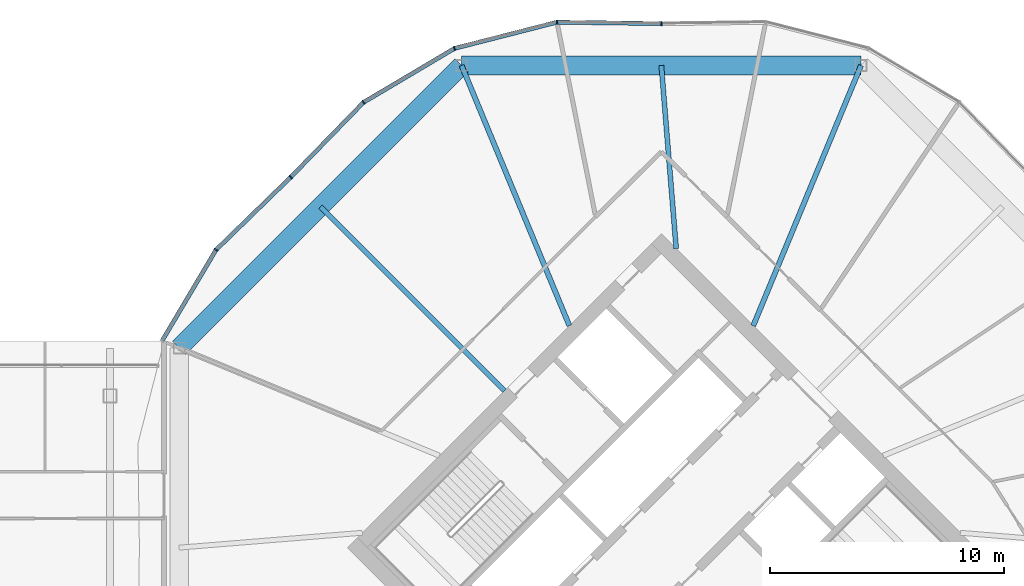
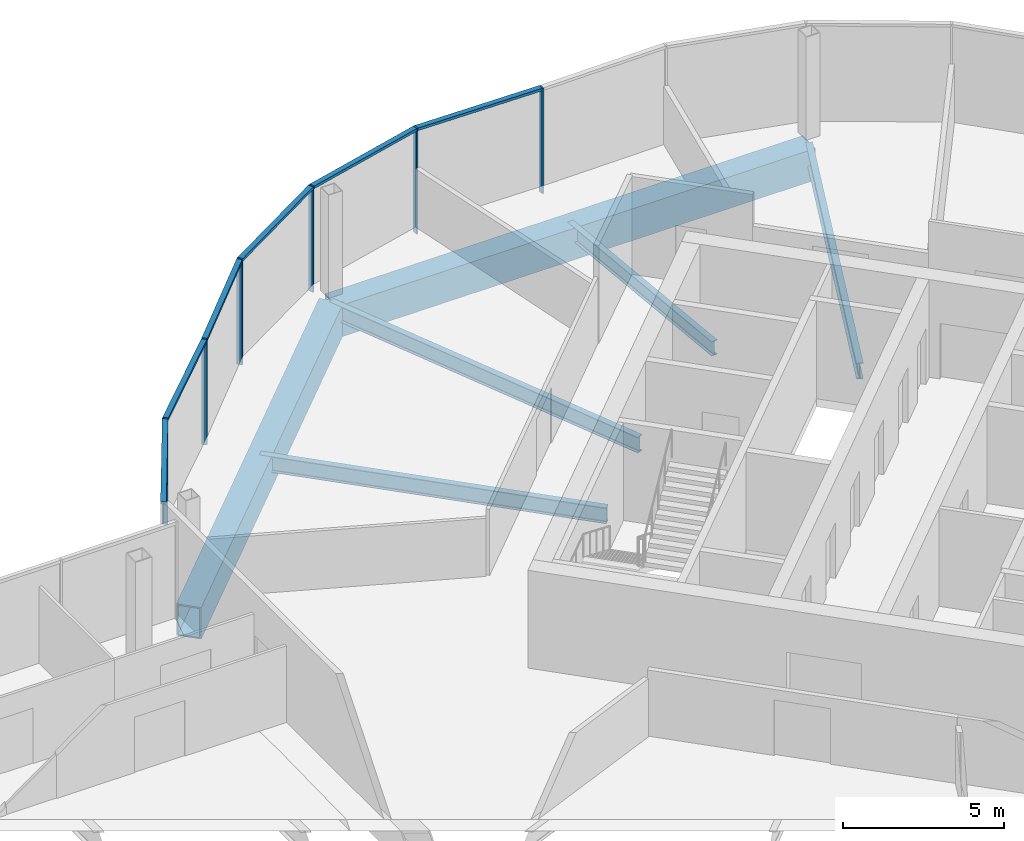
# One storey, part 15 of 26: 12 members, 6 beams, 3 elements without a shape of their own.
"""IFC4 building model written with IfcOpenShell, lengths in metres."""

import ifcopenshell
import ifcopenshell.guid

model = None  # the IFC model being written
_history = None  # IfcOwnerHistory: only IFC2X3 demands one
_inside = {}  # id of a spatial element -> (the spatial element, [elements in it])
_under = {}  # id of a project, library or spatial element -> (it, [spatial elements below it])
_declared = {}  # id of a project -> (the project, [libraries it declares])
_typed = {}  # id of a type object -> (the type object, [elements of that type])
_made_of = {}  # id of a material, layer set ... -> (it, [elements and type objects made of it])


def new_model(schema):
    """Start an empty IFC model of exactly this schema.

    Asked for "IFC4X3", IfcOpenShell would pick the latest addendum, in which some entities
    have other attributes; the version numbers below select the first issue.
    IFC2X3 requires an IfcOwnerHistory on every rooted entity: one is made here for all.
    """
    global model, _history
    if schema == "IFC4X3":
        model = ifcopenshell.file(schema_version=(4, 3, 0, 0))
    else:
        model = ifcopenshell.file(schema=schema)
    _inside.clear()
    _under.clear()
    _declared.clear()
    _typed.clear()
    _made_of.clear()
    _history = None
    if model.schema == "IFC2X3":
        org = make("IfcOrganization", Name="unknown")
        user = make(
            "IfcPersonAndOrganization",
            ThePerson=make("IfcPerson", FamilyName="unknown"),
            TheOrganization=org,
        )
        app = make(
            "IfcApplication",
            ApplicationDeveloper=org,
            Version="unknown",
            ApplicationFullName="unknown",
            ApplicationIdentifier="unknown",
        )
        _history = make(
            "IfcOwnerHistory",
            OwningUser=user,
            OwningApplication=app,
            ChangeAction="ADDED",
            CreationDate=0,
        )
    return model


def make(cls, **values):
    """One entity of the class cls with the attributes given. An attribute that is None is left unset."""
    return model.create_entity(
        cls, **{name: value for name, value in values.items() if value is not None}
    )


def rooted(cls, **values):
    """An entity with a GlobalId (a new one), such as an element, a storey or a relation."""
    return make(cls, GlobalId=ifcopenshell.guid.new(), OwnerHistory=_history, **values)


def si_unit(unit_type, name, prefix=None):
    """IfcSIUnit, for example si_unit("LENGTHUNIT", "METRE", prefix="MILLI")."""
    return make("IfcSIUnit", UnitType=unit_type, Prefix=prefix, Name=name)


def assignment(units):
    """IfcUnitAssignment: the units of a project."""
    return None if units is None else make("IfcUnitAssignment", Units=units)


def point(xyz):
    """IfcCartesianPoint."""
    return None if xyz is None else make("IfcCartesianPoint", Coordinates=xyz)


def direction(xyz):
    """IfcDirection."""
    return None if xyz is None else make("IfcDirection", DirectionRatios=xyz)


def frame(location, z_axis=None, x_axis=None):
    """IfcAxis2Placement3D, a coordinate frame: its origin and axes. An axis left out is left unset."""
    return make(
        "IfcAxis2Placement3D",
        Location=point(location),
        Axis=direction(z_axis),
        RefDirection=direction(x_axis),
    )


def frame_2d(location, x_axis=None):
    """IfcAxis2Placement2D, a coordinate frame in the plane: its origin and x axis."""
    return make(
        "IfcAxis2Placement2D", Location=point(location), RefDirection=direction(x_axis)
    )


def origin():
    """The frame at (0, 0, 0) with its axes left unset."""
    return frame((0.0, 0.0, 0.0))


def origin_2d():
    """The frame at (0, 0) in the plane with its x axis left unset."""
    return frame_2d((0.0, 0.0))


def place(relative_to, where):
    """IfcLocalPlacement: puts the frame where relative to a parent placement (None: the world)."""
    return make(
        "IfcLocalPlacement", PlacementRelTo=relative_to, RelativePlacement=where
    )


def context(
    kind, dimensions, precision=None, world=None, true_north=None, identifier=None
):
    """IfcGeometricRepresentationContext, for example the 3D "Model" context."""
    return make(
        "IfcGeometricRepresentationContext",
        ContextIdentifier=identifier,
        ContextType=kind,
        CoordinateSpaceDimension=dimensions,
        Precision=precision,
        WorldCoordinateSystem=world,
        TrueNorth=true_north,
    )


def subcontext(parent, identifier, kind, view, scale=None):
    """IfcGeometricRepresentationSubContext, for example "Body" below "Model"."""
    return make(
        "IfcGeometricRepresentationSubContext",
        ContextIdentifier=identifier,
        ContextType=kind,
        ParentContext=parent,
        TargetScale=scale,
        TargetView=view,
    )


def project(units=None, contexts=None):
    """IfcProject with its units and contexts."""
    return rooted(
        "IfcProject",
        Name="project",
        RepresentationContexts=contexts,
        UnitsInContext=assignment(units),
    )


def spatial(cls, under=None, at=None, **own):
    """A site, building, storey or space (cls), placed at a placement, below another one or the project."""
    s = rooted(cls, ObjectPlacement=at, **own)
    if under is not None:
        _under.setdefault(under.id(), (under, []))[1].append(s)
    return s


def profile(cls, at=None, kind="AREA", **sizes):
    """A parametric profile (cls). Its sizes go by their IFC names, for example OverallWidth=200.0."""
    return make(cls, ProfileType=kind, Position=at, **sizes)


def rectangle(**sizes):
    """IfcRectangleProfileDef."""
    return profile("IfcRectangleProfileDef", **sizes)


def hollow_rectangle(**sizes):
    """IfcRectangleHollowProfileDef."""
    return profile("IfcRectangleHollowProfileDef", **sizes)


def i_section(**sizes):
    """IfcIShapeProfileDef."""
    return profile("IfcIShapeProfileDef", **sizes)


def extrude(swept, where, along, depth):
    """IfcExtrudedAreaSolid: the profile swept, set in the frame where, extruded along a direction by depth."""
    return make(
        "IfcExtrudedAreaSolid",
        SweptArea=swept,
        Position=where,
        ExtrudedDirection=direction(along),
        Depth=depth,
    )


def shape(context_of_items, identifier, shape_type, items):
    """IfcShapeRepresentation: the items that make up one representation, for example the "Body"."""
    return make(
        "IfcShapeRepresentation",
        ContextOfItems=context_of_items,
        RepresentationIdentifier=identifier,
        RepresentationType=shape_type,
        Items=items,
    )


def material(Name=None, Category=None):
    """IfcMaterial."""
    return make("IfcMaterial", Name=Name, Category=Category)


def material_profile(
    of_material, cross_section, Name=None, Category=None, Priority=None
):
    """IfcMaterialProfile: a cross section and its material."""
    return make(
        "IfcMaterialProfile",
        Name=Name,
        Material=of_material,
        Profile=cross_section,
        Priority=Priority,
        Category=Category,
    )


def profile_set(profiles, Name=None, composite=None):
    """IfcMaterialProfileSet."""
    return make(
        "IfcMaterialProfileSet",
        Name=Name,
        MaterialProfiles=profiles,
        CompositeProfile=composite,
    )


def made_of(thing, what):
    """Note that an element or type object is made of a material, layer set ...; save() writes the relation."""
    if what is not None:
        _made_of.setdefault(what.id(), (what, []))[1].append(thing)
    return thing


def type_object(cls, material=None, **own):
    """A type object (cls), such as IfcWallType, which elements share."""
    return made_of(rooted(cls, **own), material)


def element(
    cls,
    number,
    at=None,
    inside=None,
    cuts=None,
    type_object=None,
    material=None,
    context=None,
    identifier="Body",
    shape_type=None,
    held_by="IfcProductDefinitionShape",
    body=None,
    shapes=None,
    **own,
):
    """One element of the class cls, such as IfcWall. Its Tag is "e" and its number.

    at: its placement. inside: the storey or other place that contains it. cuts: it is an
    opening in that element (IfcRelVoidsElement). A single representation is given by context,
    identifier, shape_type and body (its items); several are given by shapes. held_by: the class
    of the entity that holds the representations. save() writes the other relations.
    """
    e = rooted(cls, Tag="e%d" % number, ObjectPlacement=at, **own)
    if body is not None:
        shapes = [shape(context, identifier, shape_type, body)]
    if shapes is not None:
        e.Representation = make(held_by, Representations=shapes)
    if inside is not None:
        _inside.setdefault(inside.id(), (inside, []))[1].append(e)
    if cuts is not None:
        rooted(
            "IfcRelVoidsElement", RelatingBuildingElement=cuts, RelatedOpeningElement=e
        )
    if type_object is not None:
        _typed.setdefault(type_object.id(), (type_object, []))[1].append(e)
    return made_of(e, material)


def aggregate(whole, parts):
    """IfcRelAggregates: a whole, such as a stair, and the parts it consists of."""
    return rooted("IfcRelAggregates", RelatingObject=whole, RelatedObjects=parts)


def save(model, path):
    """Write the relations noted so far, then the file.

    IfcRelAggregates (storeys below a building ...), IfcRelContainedInSpatialStructure (elements
    in a storey), IfcRelDefinesByType, IfcRelAssociatesMaterial and IfcRelDeclares: one each for
    every whole, place, type object, material and project.
    """
    for whole, parts in _under.values():
        aggregate(whole, parts)
    for where, things in _inside.values():
        rooted(
            "IfcRelContainedInSpatialStructure",
            RelatedElements=things,
            RelatingStructure=where,
        )
    for kind, things in _typed.values():
        rooted("IfcRelDefinesByType", RelatedObjects=things, RelatingType=kind)
    for what, things in _made_of.values():
        rooted("IfcRelAssociatesMaterial", RelatedObjects=things, RelatingMaterial=what)
    for by, libraries in _declared.values():
        rooted("IfcRelDeclares", RelatingContext=by, RelatedDefinitions=libraries)
    model.write(path)


model = new_model("IFC4")

# Units and contexts
model_context = context("Model", 3, precision=1e-05, world=origin(), true_north=direction((0.0, 1.0)))
body_context = subcontext(model_context, "Body", "Model", "MODEL_VIEW")
ifc_project = project(units=[si_unit("LENGTHUNIT", "METRE"), si_unit("AREAUNIT", "SQUARE_METRE"), si_unit("VOLUMEUNIT", "CUBIC_METRE"), si_unit("PLANEANGLEUNIT", "RADIAN"), si_unit("MASSUNIT", "GRAM", prefix="KILO")], contexts=[model_context])

# Site, building, storey
site_placement = place(None, origin())
site = spatial("IfcSite", under=ifc_project, at=site_placement, CompositionType="ELEMENT")
building_placement = place(site_placement, origin())
building = spatial("IfcBuilding", under=site, at=building_placement, Name="Ogive Gate Towers", CompositionType="ELEMENT")
storey_placement = place(building_placement, frame((0.0, 0.0, 156.800048828125)))
storey = spatial("IfcBuildingStorey", under=building, at=storey_placement, Name="L37", CompositionType="ELEMENT", Elevation=156.800048828125)

# Beams
ifc_material_1 = material(Name="Steel SM460", Category="steel")
ifc_material_profile_1 = material_profile(ifc_material_1, hollow_rectangle(XDim=0.800048828125, YDim=1.199951171875, WallThickness=0.050048828125, at=origin_2d()), Name="BX 1200x800x50")
ifc_profile_set_1 = profile_set([ifc_material_profile_1], Name="Steel SM460")
beam_type_1 = type_object("IfcBeamType", Name="Edge girder BX 1200x800x50", PredefinedType="BEAM", material=ifc_profile_set_1)
beam_1_placement = place(storey_placement, frame((44.549072265625, 20.639404296875, -0.900146484375), z_axis=(-1.0, 0.0, 0.0), x_axis=(0.0, -1.0, 0.0)))
element("IfcBeam", 1, at=beam_1_placement, inside=storey, type_object=beam_type_1, Name="T2/L37/SBM022", PredefinedType="BEAM", context=body_context, shape_type="SweptSolid", body=[
    extrude(hollow_rectangle(XDim=0.800048828125, YDim=1.199951171875, WallThickness=0.050048828125, at=origin_2d()), origin(), (0.0, 0.0, 1.0), 17.09814453125),
])
beam_2_placement = place(storey_placement, frame((27.450927734375, 20.639404296875, -0.900146484375), z_axis=(-0.707106781187, -0.707106781187, 0.0), x_axis=(0.707106781187, -0.707106781187, 0.0)))
element("IfcBeam", 2, at=beam_2_placement, inside=storey, type_object=beam_type_1, Name="T2/L37/SBM023", PredefinedType="BEAM", context=body_context, shape_type="SweptSolid", body=[
    extrude(hollow_rectangle(XDim=0.800048828125, YDim=1.199951171875, WallThickness=0.050048828125, at=origin_2d()), origin(), (0.0, 0.0, 1.0), 17.098388671875),
])
ifc_material_2 = material(Name="Steel SM355", Category="steel")
ifc_material_profile_2 = material_profile(ifc_material_2, i_section(OverallWidth=0.2099609375, OverallDepth=0.550048828125, WebThickness=0.010986328125, FlangeThickness=0.01708984375, FilletRadius=0.02392578125, at=origin_2d()), Name="IPE 550")
ifc_profile_set_2 = profile_set([ifc_material_profile_2], Name="Steel SM355")
beam_type_2 = type_object("IfcBeamType", Name="Radial floor beam IPE 550", PredefinedType="BEAM", material=ifc_profile_set_2)
beam_3_placement = place(storey_placement, frame((36.636474609375, 12.798583984375, -0.574951171875), z_axis=(-0.080908365468, 0.996721544062, 0.0), x_axis=(-0.996721544062, -0.080908365468, 0.0)))
element("IfcBeam", 3, at=beam_3_placement, inside=storey, type_object=beam_type_2, Name="T2/L37/SBM012", PredefinedType="BEAM", context=body_context, shape_type="SweptSolid", body=[
    extrude(i_section(OverallWidth=0.2099609375, OverallDepth=0.550048828125, WebThickness=0.010986328125, FlangeThickness=0.01708984375, FilletRadius=0.02392578125, at=origin_2d()), origin(), (0.0, 0.0, 1.0), 7.86669921875),
])
ifc_material_profile_3 = material_profile(ifc_material_2, i_section(OverallWidth=0.219970703125, OverallDepth=0.60009765625, WebThickness=0.011962890625, FlangeThickness=0.01904296875, FilletRadius=0.02392578125, at=origin_2d()), Name="IPE 600")
ifc_profile_set_3 = profile_set([ifc_material_profile_3], Name="Steel SM355")
beam_type_3 = type_object("IfcBeamType", Name="Radial floor beam IPE 600", PredefinedType="BEAM", material=ifc_profile_set_3)
for number, where, z_axis, x_axis, name in (
    (4, (39.93505859375, 9.5, -0.60009765625), (0.382677863518, 0.923881839184, 0.0), (-0.923881839184, 0.382677863518, 0.0), "T2/L37/SBM011"),
    (5, (32.06494140625, 9.5, -0.60009765625), (-0.382677863518, 0.923881839184, 0.0), (-0.923881839184, -0.382677863518, 0.0), "T2/L37/SBM013"),
):
    element("IfcBeam", number, at=place(storey_placement, frame(where, z_axis=z_axis, x_axis=x_axis)), inside=storey, type_object=beam_type_3, Name=name, PredefinedType="BEAM", context=body_context, shape_type="SweptSolid", body=[
        extrude(i_section(OverallWidth=0.219970703125, OverallDepth=0.60009765625, WebThickness=0.011962890625, FlangeThickness=0.01904296875, FilletRadius=0.02392578125, at=origin_2d()), origin(), (0.0, 0.0, 1.0), 12.05712890625),
    ])
beam_4_placement = place(storey_placement, frame((29.282470703125, 6.717529296875, -0.60009765625), z_axis=(-0.707106781187, 0.707106781187, 0.0), x_axis=(-0.707106781187, -0.707106781187, 0.0)))
element("IfcBeam", 6, at=beam_4_placement, inside=storey, type_object=beam_type_3, Name="T2/L37/SBM014", PredefinedType="BEAM", context=body_context, shape_type="SweptSolid", body=[
    extrude(i_section(OverallWidth=0.219970703125, OverallDepth=0.60009765625, WebThickness=0.011962890625, FlangeThickness=0.01904296875, FilletRadius=0.02392578125, at=origin_2d()), origin(), (0.0, 0.0, 1.0), 11.139404296875),
])

# Curtain wall, member
ifc_material_3 = material(Name="Pale metal aluminium", Category="aluminium")
curtain_wall_type = type_object("IfcCurtainWallType", Name="Tower unitised wall, high zone", PredefinedType="NOTDEFINED", material=ifc_material_3)
curtain_wall_1_placement = place(storey_placement, origin())
curtain_wall_1 = element("IfcCurtainWall", 7, at=curtain_wall_1_placement, inside=storey, type_object=curtain_wall_type, Name="CW2 T2 ECW02", PredefinedType="NOTDEFINED")
ifc_material_profile_4 = material_profile(ifc_material_3, rectangle(XDim=0.179931640625, YDim=0.06005859375, at=origin_2d()), Name="60 x 180 aluminium box")
ifc_profile_set_4 = profile_set([ifc_material_profile_4], Name="Pale metal aluminium")
member_type_1 = type_object("IfcMemberType", Name="Tower unitised wall, high zone mullion 60 x 180", PredefinedType="MULLION", material=ifc_profile_set_4)
member_1_placement = place(storey_placement, frame((36.0, 22.429931640625, -0.300048828125), z_axis=(0.0, 0.0, 1.0), x_axis=(-0.013717857647, 0.999905905764, 0.0)))
member_1 = element("IfcMember", 8, at=member_1_placement, type_object=member_type_1, Name="CW2 mullion", PredefinedType="MULLION", context=body_context, shape_type="SweptSolid", body=[
    extrude(rectangle(XDim=0.179931640625, YDim=0.06005859375, at=origin_2d()), origin(), (0.0, 0.0, 1.0), 4.0),
])
aggregate(curtain_wall_1, [member_1])

# Curtain wall, members
curtain_wall_2_placement = place(storey_placement, origin())
curtain_wall_2 = element("IfcCurtainWall", 9, at=curtain_wall_2_placement, inside=storey, type_object=curtain_wall_type, Name="CW2 T2 ECW03", PredefinedType="NOTDEFINED")
member_2_placement = place(storey_placement, frame((31.533447265625, 22.491455078125, -0.300048828125), z_axis=(0.0, 0.0, 1.0), x_axis=(-0.118005356875, 0.9930129585, 0.0)))
member_2 = element("IfcMember", 10, at=member_2_placement, type_object=member_type_1, Name="CW2 mullion", PredefinedType="MULLION", context=body_context, shape_type="SweptSolid", body=[
    extrude(rectangle(XDim=0.179931640625, YDim=0.06005859375, at=origin_2d()), origin(), (0.0, 0.0, 1.0), 4.0),
])
member_3_placement = place(storey_placement, frame((27.148193359375, 21.370361328125, -0.300048828125), z_axis=(0.0, 0.0, 1.0), x_axis=(-0.382683432365, 0.923879532511, 0.0)))
member_3 = element("IfcMember", 11, at=member_3_placement, type_object=member_type_1, Name="CW2 mullion", PredefinedType="MULLION", context=body_context, shape_type="SweptSolid", body=[
    extrude(rectangle(XDim=0.179931640625, YDim=0.06005859375, at=origin_2d()), origin(), (0.0, 0.0, 1.0), 4.0),
])
member_4_placement = place(storey_placement, frame((23.254638671875, 19.06201171875, -0.300048828125), z_axis=(0.0, 0.0, 1.0), x_axis=(-0.618710097148, 0.785619383472, 0.0)))
member_4 = element("IfcMember", 12, at=member_4_placement, type_object=member_type_1, Name="CW2 mullion", PredefinedType="MULLION", context=body_context, shape_type="SweptSolid", body=[
    extrude(rectangle(XDim=0.179931640625, YDim=0.06005859375, at=origin_2d()), origin(), (0.0, 0.0, 1.0), 4.0),
])
member_5_placement = place(storey_placement, frame((20.1396484375, 15.860595703125, -0.300048828125), z_axis=(0.0, 0.0, 1.0), x_axis=(-0.716728065687, 0.697352765719, 0.0)))
member_5 = element("IfcMember", 13, at=member_5_placement, type_object=member_type_1, Name="CW2 mullion", PredefinedType="MULLION", context=body_context, shape_type="SweptSolid", body=[
    extrude(rectangle(XDim=0.179931640625, YDim=0.06005859375, at=origin_2d()), origin(), (0.0, 0.0, 1.0), 4.0),
])

# Curtain wall, member
curtain_wall_3_placement = place(storey_placement, origin())
curtain_wall_3 = element("IfcCurtainWall", 14, at=curtain_wall_3_placement, inside=storey, type_object=curtain_wall_type, Name="CW2 T2 ECW04", PredefinedType="NOTDEFINED")
member_6_placement = place(storey_placement, frame((16.93798828125, 12.745361328125, -0.300048828125), z_axis=(0.0, 0.0, 1.0), x_axis=(-0.785619383472, 0.618710097148, 0.0)))
member_6 = element("IfcMember", 15, at=member_6_placement, type_object=member_type_1, Name="CW2 mullion", PredefinedType="MULLION", context=body_context, shape_type="SweptSolid", body=[
    extrude(rectangle(XDim=0.179931640625, YDim=0.06005859375, at=origin_2d()), origin(), (0.0, 0.0, 1.0), 4.0),
])

# Member
ifc_material_profile_5 = material_profile(ifc_material_3, rectangle(XDim=0.179931640625, YDim=0.10009765625, at=origin_2d()), Name="100 x 180 aluminium box")
ifc_profile_set_5 = profile_set([ifc_material_profile_5], Name="Pale metal aluminium")
member_type_2 = type_object("IfcMemberType", Name="Tower unitised wall, high zone transom 100 x 180", PredefinedType="USERDEFINED", material=ifc_profile_set_5)
member_7_placement = place(storey_placement, frame((35.969970703125, 22.430419921875, 3.64990234375), z_axis=(-0.999905677146, 0.013734511655, 0.0), x_axis=(-0.013734511655, -0.999905677146, 0.0)))
member_7 = element("IfcMember", 16, at=member_7_placement, type_object=member_type_2, Name="CW2 transom", ObjectType="TRANSOM", PredefinedType="USERDEFINED", context=body_context, shape_type="SweptSolid", body=[
    extrude(rectangle(XDim=0.179931640625, YDim=0.10009765625, at=origin_2d()), origin(), (0.0, 0.0, 1.0), 4.408447265625),
])

member_8_placement = place(storey_placement, frame((31.505615234375, 22.484130859375, 3.64990234375), z_axis=(-0.968840212486, -0.247686581529, 0.0), x_axis=(0.247686581529, -0.968840212486, 0.0)))
member_8 = element("IfcMember", 17, at=member_8_placement, type_object=member_type_2, Name="CW2 transom", ObjectType="TRANSOM", PredefinedType="USERDEFINED", context=body_context, shape_type="SweptSolid", body=[
    extrude(rectangle(XDim=0.179931640625, YDim=0.10009765625, at=origin_2d()), origin(), (0.0, 0.0, 1.0), 4.468994140625),
])

member_9_placement = place(storey_placement, frame((27.12353515625, 21.355712890625, 3.64990234375), z_axis=(-0.860194793579, -0.50996560384, 0.0), x_axis=(0.50996560384, -0.860194793579, 0.0)))
member_9 = element("IfcMember", 18, at=member_9_placement, type_object=member_type_2, Name="CW2 transom", ObjectType="TRANSOM", PredefinedType="USERDEFINED", context=body_context, shape_type="SweptSolid", body=[
    extrude(rectangle(XDim=0.179931640625, YDim=0.10009765625, at=origin_2d()), origin(), (0.0, 0.0, 1.0), 4.468994140625),
])

member_10_placement = place(storey_placement, frame((23.234619140625, 19.04150390625, 3.64990234375), z_axis=(-0.697348039288, -0.716732664318, 0.0), x_axis=(0.716732664318, -0.697348039288, 0.0)))
member_10 = element("IfcMember", 19, at=member_10_placement, type_object=member_type_2, Name="CW2 transom", ObjectType="TRANSOM", PredefinedType="USERDEFINED", context=body_context, shape_type="SweptSolid", body=[
    extrude(rectangle(XDim=0.179931640625, YDim=0.10009765625, at=origin_2d()), origin(), (0.0, 0.0, 1.0), 4.408203125),
])

aggregate(curtain_wall_2, [member_2, member_7, member_3, member_8, member_4, member_9, member_5, member_10])

member_11_placement = place(storey_placement, frame((20.117919921875, 15.83935546875, 3.64990234375), z_axis=(-0.716732664318, -0.697348039288, 0.0), x_axis=(0.697348039288, -0.716732664318, 0.0)))
member_11 = element("IfcMember", 20, at=member_11_placement, type_object=member_type_2, Name="CW2 transom", ObjectType="TRANSOM", PredefinedType="USERDEFINED", context=body_context, shape_type="SweptSolid", body=[
    extrude(rectangle(XDim=0.179931640625, YDim=0.10009765625, at=origin_2d()), origin(), (0.0, 0.0, 1.0), 4.408203125),
])

member_12_placement = place(storey_placement, frame((16.92333984375, 12.720703125, 3.64990234375), z_axis=(-0.50996560384, -0.860194793579, 0.0), x_axis=(0.860194793579, -0.50996560384, 0.0)))
member_12 = element("IfcMember", 21, at=member_12_placement, type_object=member_type_2, Name="CW2 transom", ObjectType="TRANSOM", PredefinedType="USERDEFINED", context=body_context, shape_type="SweptSolid", body=[
    extrude(rectangle(XDim=0.179931640625, YDim=0.10009765625, at=origin_2d()), origin(), (0.0, 0.0, 1.0), 4.468994140625),
])

aggregate(curtain_wall_3, [member_6, member_11, member_12])

save(model, "model.ifc")
